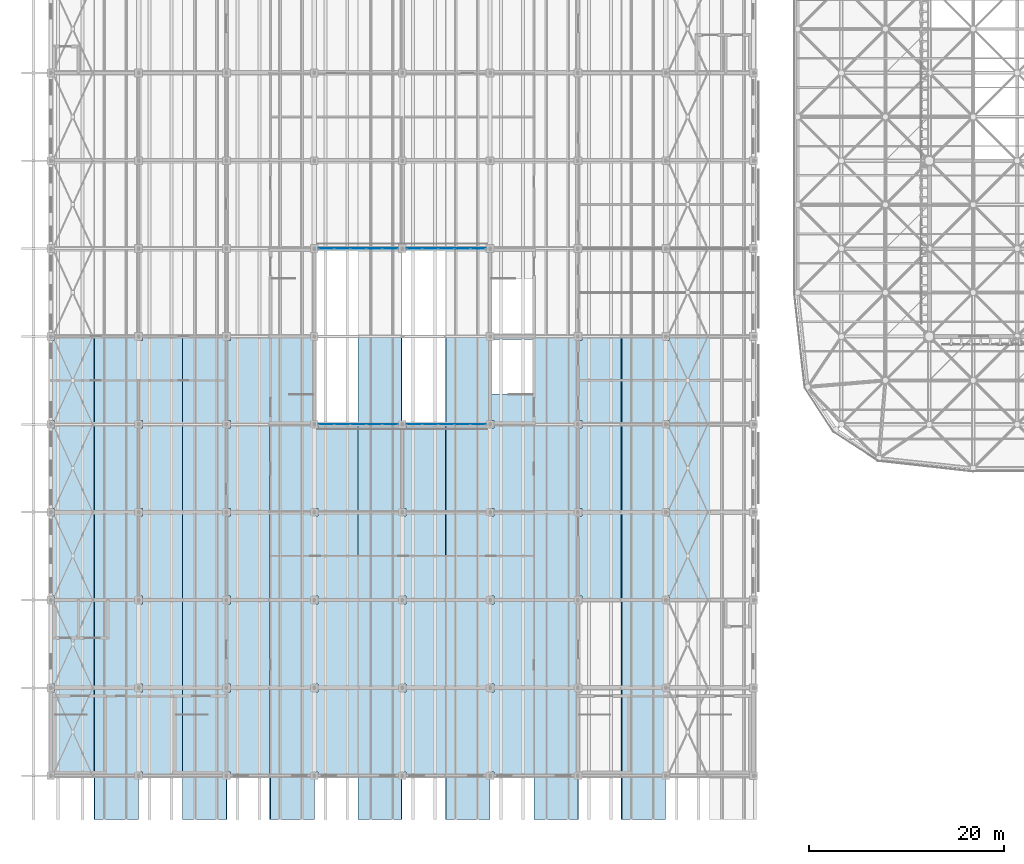
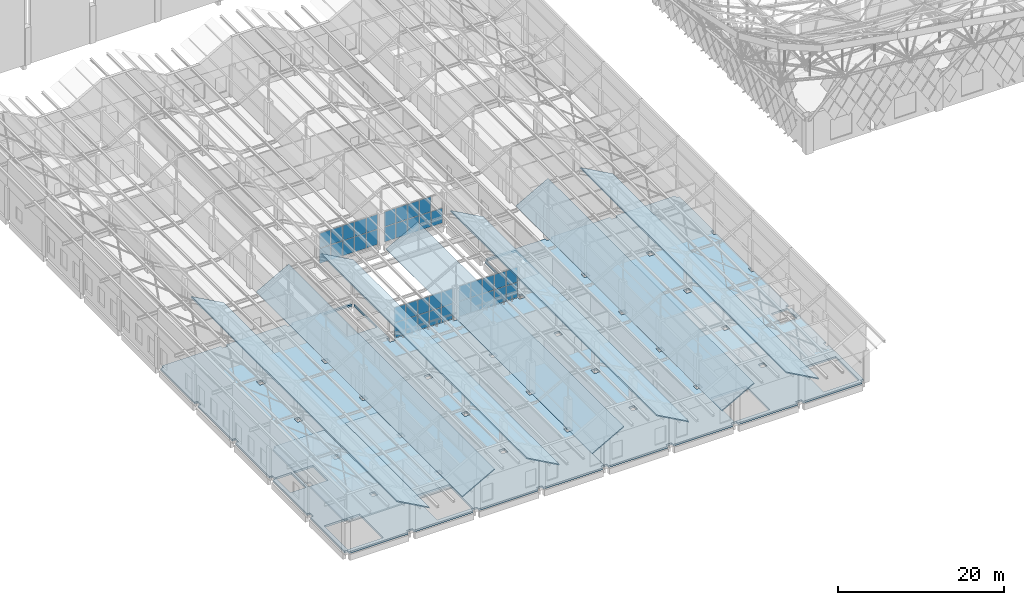
# One storey, part 238 of 437: 39 plates, 10 slabs, 4 elements without a shape of their own.
"""IFC4 building model written with IfcOpenShell, lengths in metres."""

from ifc_helpers import new_model, si_unit, direction, frame, origin, origin_2d, place, context, subcontext, project, spatial, polyline, rectangle, outline, extrude, material, layer, layer_set, type_object, element, aggregate, save


model = new_model("IFC4")

# Units and contexts
model_context = context("Model", 3, precision=1e-05, world=origin(), true_north=direction((0.0, 1.0)))
body_context = subcontext(model_context, "Body", "Model", "MODEL_VIEW")
ifc_project = project(units=[si_unit("LENGTHUNIT", "METRE"), si_unit("AREAUNIT", "SQUARE_METRE"), si_unit("VOLUMEUNIT", "CUBIC_METRE"), si_unit("PLANEANGLEUNIT", "RADIAN"), si_unit("MASSUNIT", "GRAM", prefix="KILO")], contexts=[model_context])

# Site, building, storey
site_placement = place(None, origin())
site = spatial("IfcSite", under=ifc_project, at=site_placement, CompositionType="ELEMENT")
building_placement = place(site_placement, origin())
building = spatial("IfcBuilding", under=site, at=building_placement, Name="Opaline Strait Convention Centre", CompositionType="ELEMENT")
storey_placement = place(building_placement, frame((0.0, 0.0, 11.5)))
storey = spatial("IfcBuildingStorey", under=building, at=storey_placement, Name="L02", CompositionType="ELEMENT", Elevation=11.5)

# Curtain wall, plates
ifc_material_1 = material(Name="Aluminium framed double glazing", Category="aluminium")
ifc_layer_1 = layer(ifc_material_1, 0.199951171875)
ifc_layer_set_1 = layer_set([ifc_layer_1], Name="Aluminium framed double glazing")
curtain_wall_type = type_object("IfcCurtainWallType", Name="Curtain wall 1500 module", PredefinedType="NOTDEFINED", material=ifc_layer_set_1)
curtain_wall_1_placement = place(storey_placement, origin())
curtain_wall_1 = element("IfcCurtainWall", 1, at=curtain_wall_1_placement, inside=storey, type_object=curtain_wall_type, Name="L02 court glazing Sc 1", PredefinedType="NOTDEFINED")
ifc_material_2 = material(Name="Double glazed unit low emissivity", Category="glass")
ifc_layer_2 = layer(ifc_material_2, 0.028076171875)
ifc_layer_set_2 = layer_set([ifc_layer_2], Name="Double glazed unit low emissivity")
plate_type = type_object("IfcPlateType", Name="Curtain wall glass panel 28", PredefinedType="CURTAIN_PANEL", material=ifc_layer_set_2)
plate_1_placement = place(storey_placement, frame((37.23486328125, 45.0, 0.06005859375), z_axis=(0.0, 0.0, 1.0), x_axis=(1.0, 0.0, 0.0)))
plate_1 = element("IfcPlate", 2, at=plate_1_placement, type_object=plate_type, Name="RCW1 panel 1.1", PredefinedType="CURTAIN_PANEL", context=body_context, shape_type="SweptSolid", body=[
    extrude(rectangle(XDim=1.550048828125, YDim=0.028076171875, at=origin_2d()), origin(), (0.0, 0.0, 1.0), 2.18505859375),
])
plate_2_placement = place(storey_placement, frame((37.23486328125, 45.0, 2.304931640625), z_axis=(0.0, 0.0, 1.0), x_axis=(1.0, 0.0, 0.0)))
plate_2 = element("IfcPlate", 3, at=plate_2_placement, type_object=plate_type, Name="RCW1 panel 1.2", PredefinedType="CURTAIN_PANEL", context=body_context, shape_type="SweptSolid", body=[
    extrude(rectangle(XDim=1.550048828125, YDim=0.028076171875, at=origin_2d()), origin(), (0.0, 0.0, 1.0), 2.18505859375),
])
plate_3_placement = place(storey_placement, frame((38.85986328125, 45.0, 0.06005859375), z_axis=(0.0, 0.0, 1.0), x_axis=(1.0, 0.0, 0.0)))
plate_3 = element("IfcPlate", 4, at=plate_3_placement, type_object=plate_type, Name="RCW1 panel 2.1", PredefinedType="CURTAIN_PANEL", context=body_context, shape_type="SweptSolid", body=[
    extrude(rectangle(XDim=1.580078125, YDim=0.028076171875, at=origin_2d()), origin(), (0.0, 0.0, 1.0), 2.18505859375),
])
plate_4_placement = place(storey_placement, frame((38.85986328125, 45.0, 2.304931640625), z_axis=(0.0, 0.0, 1.0), x_axis=(1.0, 0.0, 0.0)))
plate_4 = element("IfcPlate", 5, at=plate_4_placement, type_object=plate_type, Name="RCW1 panel 2.2", PredefinedType="CURTAIN_PANEL", context=body_context, shape_type="SweptSolid", body=[
    extrude(rectangle(XDim=1.580078125, YDim=0.028076171875, at=origin_2d()), origin(), (0.0, 0.0, 1.0), 2.18505859375),
])
plate_5_placement = place(storey_placement, frame((40.5, 45.0, 0.06005859375), z_axis=(0.0, 0.0, 1.0), x_axis=(1.0, 0.0, 0.0)))
plate_5 = element("IfcPlate", 6, at=plate_5_placement, type_object=plate_type, Name="RCW1 panel 3.1", PredefinedType="CURTAIN_PANEL", context=body_context, shape_type="SweptSolid", body=[
    extrude(rectangle(XDim=1.580078125, YDim=0.028076171875, at=origin_2d()), origin(), (0.0, 0.0, 1.0), 2.18505859375),
])
plate_6_placement = place(storey_placement, frame((40.5, 45.0, 2.304931640625), z_axis=(0.0, 0.0, 1.0), x_axis=(1.0, 0.0, 0.0)))
plate_6 = element("IfcPlate", 7, at=plate_6_placement, type_object=plate_type, Name="RCW1 panel 3.2", PredefinedType="CURTAIN_PANEL", context=body_context, shape_type="SweptSolid", body=[
    extrude(rectangle(XDim=1.580078125, YDim=0.028076171875, at=origin_2d()), origin(), (0.0, 0.0, 1.0), 2.18505859375),
])
plate_7_placement = place(storey_placement, frame((42.14013671875, 45.0, 0.06005859375), z_axis=(0.0, 0.0, 1.0), x_axis=(1.0, 0.0, 0.0)))
plate_7 = element("IfcPlate", 8, at=plate_7_placement, type_object=plate_type, Name="RCW1 panel 4.1", PredefinedType="CURTAIN_PANEL", context=body_context, shape_type="SweptSolid", body=[
    extrude(rectangle(XDim=1.580078125, YDim=0.028076171875, at=origin_2d()), origin(), (0.0, 0.0, 1.0), 2.18505859375),
])
plate_8_placement = place(storey_placement, frame((42.14013671875, 45.0, 2.304931640625), z_axis=(0.0, 0.0, 1.0), x_axis=(1.0, 0.0, 0.0)))
plate_8 = element("IfcPlate", 9, at=plate_8_placement, type_object=plate_type, Name="RCW1 panel 4.2", PredefinedType="CURTAIN_PANEL", context=body_context, shape_type="SweptSolid", body=[
    extrude(rectangle(XDim=1.580078125, YDim=0.028076171875, at=origin_2d()), origin(), (0.0, 0.0, 1.0), 2.18505859375),
])
plate_9_placement = place(storey_placement, frame((43.76513671875, 45.0, 0.06005859375), z_axis=(0.0, 0.0, 1.0), x_axis=(1.0, 0.0, 0.0)))
plate_9 = element("IfcPlate", 10, at=plate_9_placement, type_object=plate_type, Name="RCW1 panel 5.1", PredefinedType="CURTAIN_PANEL", context=body_context, shape_type="SweptSolid", body=[
    extrude(rectangle(XDim=1.550048828125, YDim=0.028076171875, at=origin_2d()), origin(), (0.0, 0.0, 1.0), 2.18505859375),
])
plate_10_placement = place(storey_placement, frame((43.76513671875, 45.0, 2.304931640625), z_axis=(0.0, 0.0, 1.0), x_axis=(1.0, 0.0, 0.0)))
plate_10 = element("IfcPlate", 11, at=plate_10_placement, type_object=plate_type, Name="RCW1 panel 5.2", PredefinedType="CURTAIN_PANEL", context=body_context, shape_type="SweptSolid", body=[
    extrude(rectangle(XDim=1.550048828125, YDim=0.028076171875, at=origin_2d()), origin(), (0.0, 0.0, 1.0), 2.18505859375),
])
aggregate(curtain_wall_1, [plate_1, plate_2, plate_3, plate_4, plate_5, plate_6, plate_7, plate_8, plate_9, plate_10])

curtain_wall_2_placement = place(storey_placement, origin())
curtain_wall_2 = element("IfcCurtainWall", 12, at=curtain_wall_2_placement, inside=storey, type_object=curtain_wall_type, Name="L02 court glazing Sc 2", PredefinedType="NOTDEFINED")
plate_11_placement = place(storey_placement, frame((46.23486328125, 45.0, 0.06005859375), z_axis=(0.0, 0.0, 1.0), x_axis=(1.0, 0.0, 0.0)))
plate_11 = element("IfcPlate", 13, at=plate_11_placement, type_object=plate_type, Name="RCW1 panel 1.1", PredefinedType="CURTAIN_PANEL", context=body_context, shape_type="SweptSolid", body=[
    extrude(rectangle(XDim=1.550048828125, YDim=0.028076171875, at=origin_2d()), origin(), (0.0, 0.0, 1.0), 2.18505859375),
])
plate_12_placement = place(storey_placement, frame((46.23486328125, 45.0, 2.304931640625), z_axis=(0.0, 0.0, 1.0), x_axis=(1.0, 0.0, 0.0)))
plate_12 = element("IfcPlate", 14, at=plate_12_placement, type_object=plate_type, Name="RCW1 panel 1.2", PredefinedType="CURTAIN_PANEL", context=body_context, shape_type="SweptSolid", body=[
    extrude(rectangle(XDim=1.550048828125, YDim=0.028076171875, at=origin_2d()), origin(), (0.0, 0.0, 1.0), 2.18505859375),
])
plate_13_placement = place(storey_placement, frame((47.85986328125, 45.0, 0.06005859375), z_axis=(0.0, 0.0, 1.0), x_axis=(1.0, 0.0, 0.0)))
plate_13 = element("IfcPlate", 15, at=plate_13_placement, type_object=plate_type, Name="RCW1 panel 2.1", PredefinedType="CURTAIN_PANEL", context=body_context, shape_type="SweptSolid", body=[
    extrude(rectangle(XDim=1.580078125, YDim=0.028076171875, at=origin_2d()), origin(), (0.0, 0.0, 1.0), 2.18505859375),
])
plate_14_placement = place(storey_placement, frame((47.85986328125, 45.0, 2.304931640625), z_axis=(0.0, 0.0, 1.0), x_axis=(1.0, 0.0, 0.0)))
plate_14 = element("IfcPlate", 16, at=plate_14_placement, type_object=plate_type, Name="RCW1 panel 2.2", PredefinedType="CURTAIN_PANEL", context=body_context, shape_type="SweptSolid", body=[
    extrude(rectangle(XDim=1.580078125, YDim=0.028076171875, at=origin_2d()), origin(), (0.0, 0.0, 1.0), 2.18505859375),
])
plate_15_placement = place(storey_placement, frame((49.5, 45.0, 0.06005859375), z_axis=(0.0, 0.0, 1.0), x_axis=(1.0, 0.0, 0.0)))
plate_15 = element("IfcPlate", 17, at=plate_15_placement, type_object=plate_type, Name="RCW1 panel 3.1", PredefinedType="CURTAIN_PANEL", context=body_context, shape_type="SweptSolid", body=[
    extrude(rectangle(XDim=1.580078125, YDim=0.028076171875, at=origin_2d()), origin(), (0.0, 0.0, 1.0), 2.18505859375),
])
plate_16_placement = place(storey_placement, frame((49.5, 45.0, 2.304931640625), z_axis=(0.0, 0.0, 1.0), x_axis=(1.0, 0.0, 0.0)))
plate_16 = element("IfcPlate", 18, at=plate_16_placement, type_object=plate_type, Name="RCW1 panel 3.2", PredefinedType="CURTAIN_PANEL", context=body_context, shape_type="SweptSolid", body=[
    extrude(rectangle(XDim=1.580078125, YDim=0.028076171875, at=origin_2d()), origin(), (0.0, 0.0, 1.0), 2.18505859375),
])
plate_17_placement = place(storey_placement, frame((51.14013671875, 45.0, 0.06005859375), z_axis=(0.0, 0.0, 1.0), x_axis=(1.0, 0.0, 0.0)))
plate_17 = element("IfcPlate", 19, at=plate_17_placement, type_object=plate_type, Name="RCW1 panel 4.1", PredefinedType="CURTAIN_PANEL", context=body_context, shape_type="SweptSolid", body=[
    extrude(rectangle(XDim=1.580078125, YDim=0.028076171875, at=origin_2d()), origin(), (0.0, 0.0, 1.0), 2.18505859375),
])
plate_18_placement = place(storey_placement, frame((51.14013671875, 45.0, 2.304931640625), z_axis=(0.0, 0.0, 1.0), x_axis=(1.0, 0.0, 0.0)))
plate_18 = element("IfcPlate", 20, at=plate_18_placement, type_object=plate_type, Name="RCW1 panel 4.2", PredefinedType="CURTAIN_PANEL", context=body_context, shape_type="SweptSolid", body=[
    extrude(rectangle(XDim=1.580078125, YDim=0.028076171875, at=origin_2d()), origin(), (0.0, 0.0, 1.0), 2.18505859375),
])
plate_19_placement = place(storey_placement, frame((52.76513671875, 45.0, 0.06005859375), z_axis=(0.0, 0.0, 1.0), x_axis=(1.0, 0.0, 0.0)))
plate_19 = element("IfcPlate", 21, at=plate_19_placement, type_object=plate_type, Name="RCW1 panel 5.1", PredefinedType="CURTAIN_PANEL", context=body_context, shape_type="SweptSolid", body=[
    extrude(rectangle(XDim=1.550048828125, YDim=0.028076171875, at=origin_2d()), origin(), (0.0, 0.0, 1.0), 2.18505859375),
])
plate_20_placement = place(storey_placement, frame((52.76513671875, 45.0, 2.304931640625), z_axis=(0.0, 0.0, 1.0), x_axis=(1.0, 0.0, 0.0)))
plate_20 = element("IfcPlate", 22, at=plate_20_placement, type_object=plate_type, Name="RCW1 panel 5.2", PredefinedType="CURTAIN_PANEL", context=body_context, shape_type="SweptSolid", body=[
    extrude(rectangle(XDim=1.550048828125, YDim=0.028076171875, at=origin_2d()), origin(), (0.0, 0.0, 1.0), 2.18505859375),
])
aggregate(curtain_wall_2, [plate_11, plate_12, plate_13, plate_14, plate_15, plate_16, plate_17, plate_18, plate_19, plate_20])

curtain_wall_3_placement = place(storey_placement, origin())
curtain_wall_3 = element("IfcCurtainWall", 23, at=curtain_wall_3_placement, inside=storey, type_object=curtain_wall_type, Name="L02 court glazing Nc 1", PredefinedType="NOTDEFINED")
plate_21_placement = place(storey_placement, frame((37.23486328125, 63.0, 0.06005859375), z_axis=(0.0, 0.0, 1.0), x_axis=(1.0, 0.0, 0.0)))
plate_21 = element("IfcPlate", 24, at=plate_21_placement, type_object=plate_type, Name="RCW1 panel 1.1", PredefinedType="CURTAIN_PANEL", context=body_context, shape_type="SweptSolid", body=[
    extrude(rectangle(XDim=1.550048828125, YDim=0.028076171875, at=origin_2d()), origin(), (0.0, 0.0, 1.0), 2.18505859375),
])
plate_22_placement = place(storey_placement, frame((37.23486328125, 63.0, 2.304931640625), z_axis=(0.0, 0.0, 1.0), x_axis=(1.0, 0.0, 0.0)))
plate_22 = element("IfcPlate", 25, at=plate_22_placement, type_object=plate_type, Name="RCW1 panel 1.2", PredefinedType="CURTAIN_PANEL", context=body_context, shape_type="SweptSolid", body=[
    extrude(rectangle(XDim=1.550048828125, YDim=0.028076171875, at=origin_2d()), origin(), (0.0, 0.0, 1.0), 2.18505859375),
])
plate_23_placement = place(storey_placement, frame((38.85986328125, 63.0, 0.06005859375), z_axis=(0.0, 0.0, 1.0), x_axis=(1.0, 0.0, 0.0)))
plate_23 = element("IfcPlate", 26, at=plate_23_placement, type_object=plate_type, Name="RCW1 panel 2.1", PredefinedType="CURTAIN_PANEL", context=body_context, shape_type="SweptSolid", body=[
    extrude(rectangle(XDim=1.580078125, YDim=0.028076171875, at=origin_2d()), origin(), (0.0, 0.0, 1.0), 2.18505859375),
])
plate_24_placement = place(storey_placement, frame((38.85986328125, 63.0, 2.304931640625), z_axis=(0.0, 0.0, 1.0), x_axis=(1.0, 0.0, 0.0)))
plate_24 = element("IfcPlate", 27, at=plate_24_placement, type_object=plate_type, Name="RCW1 panel 2.2", PredefinedType="CURTAIN_PANEL", context=body_context, shape_type="SweptSolid", body=[
    extrude(rectangle(XDim=1.580078125, YDim=0.028076171875, at=origin_2d()), origin(), (0.0, 0.0, 1.0), 2.18505859375),
])
plate_25_placement = place(storey_placement, frame((40.5, 63.0, 0.06005859375), z_axis=(0.0, 0.0, 1.0), x_axis=(1.0, 0.0, 0.0)))
plate_25 = element("IfcPlate", 28, at=plate_25_placement, type_object=plate_type, Name="RCW1 panel 3.1", PredefinedType="CURTAIN_PANEL", context=body_context, shape_type="SweptSolid", body=[
    extrude(rectangle(XDim=1.580078125, YDim=0.028076171875, at=origin_2d()), origin(), (0.0, 0.0, 1.0), 2.18505859375),
])
plate_26_placement = place(storey_placement, frame((40.5, 63.0, 2.304931640625), z_axis=(0.0, 0.0, 1.0), x_axis=(1.0, 0.0, 0.0)))
plate_26 = element("IfcPlate", 29, at=plate_26_placement, type_object=plate_type, Name="RCW1 panel 3.2", PredefinedType="CURTAIN_PANEL", context=body_context, shape_type="SweptSolid", body=[
    extrude(rectangle(XDim=1.580078125, YDim=0.028076171875, at=origin_2d()), origin(), (0.0, 0.0, 1.0), 2.18505859375),
])
plate_27_placement = place(storey_placement, frame((42.14013671875, 63.0, 0.06005859375), z_axis=(0.0, 0.0, 1.0), x_axis=(1.0, 0.0, 0.0)))
plate_27 = element("IfcPlate", 30, at=plate_27_placement, type_object=plate_type, Name="RCW1 panel 4.1", PredefinedType="CURTAIN_PANEL", context=body_context, shape_type="SweptSolid", body=[
    extrude(rectangle(XDim=1.580078125, YDim=0.028076171875, at=origin_2d()), origin(), (0.0, 0.0, 1.0), 2.18505859375),
])
plate_28_placement = place(storey_placement, frame((42.14013671875, 63.0, 2.304931640625), z_axis=(0.0, 0.0, 1.0), x_axis=(1.0, 0.0, 0.0)))
plate_28 = element("IfcPlate", 31, at=plate_28_placement, type_object=plate_type, Name="RCW1 panel 4.2", PredefinedType="CURTAIN_PANEL", context=body_context, shape_type="SweptSolid", body=[
    extrude(rectangle(XDim=1.580078125, YDim=0.028076171875, at=origin_2d()), origin(), (0.0, 0.0, 1.0), 2.18505859375),
])
plate_29_placement = place(storey_placement, frame((43.76513671875, 63.0, 0.06005859375), z_axis=(0.0, 0.0, 1.0), x_axis=(1.0, 0.0, 0.0)))
plate_29 = element("IfcPlate", 32, at=plate_29_placement, type_object=plate_type, Name="RCW1 panel 5.1", PredefinedType="CURTAIN_PANEL", context=body_context, shape_type="SweptSolid", body=[
    extrude(rectangle(XDim=1.550048828125, YDim=0.028076171875, at=origin_2d()), origin(), (0.0, 0.0, 1.0), 2.18505859375),
])
plate_30_placement = place(storey_placement, frame((43.76513671875, 63.0, 2.304931640625), z_axis=(0.0, 0.0, 1.0), x_axis=(1.0, 0.0, 0.0)))
plate_30 = element("IfcPlate", 33, at=plate_30_placement, type_object=plate_type, Name="RCW1 panel 5.2", PredefinedType="CURTAIN_PANEL", context=body_context, shape_type="SweptSolid", body=[
    extrude(rectangle(XDim=1.550048828125, YDim=0.028076171875, at=origin_2d()), origin(), (0.0, 0.0, 1.0), 2.18505859375),
])
aggregate(curtain_wall_3, [plate_21, plate_22, plate_23, plate_24, plate_25, plate_26, plate_27, plate_28, plate_29, plate_30])

curtain_wall_4_placement = place(storey_placement, origin())
curtain_wall_4 = element("IfcCurtainWall", 34, at=curtain_wall_4_placement, inside=storey, type_object=curtain_wall_type, Name="L02 court glazing Nc 2", PredefinedType="NOTDEFINED")
plate_31_placement = place(storey_placement, frame((46.23486328125, 63.0, 0.06005859375), z_axis=(0.0, 0.0, 1.0), x_axis=(1.0, 0.0, 0.0)))
plate_31 = element("IfcPlate", 35, at=plate_31_placement, type_object=plate_type, Name="RCW1 panel 1.1", PredefinedType="CURTAIN_PANEL", context=body_context, shape_type="SweptSolid", body=[
    extrude(rectangle(XDim=1.550048828125, YDim=0.028076171875, at=origin_2d()), origin(), (0.0, 0.0, 1.0), 2.18505859375),
])
plate_32_placement = place(storey_placement, frame((46.23486328125, 63.0, 2.304931640625), z_axis=(0.0, 0.0, 1.0), x_axis=(1.0, 0.0, 0.0)))
plate_32 = element("IfcPlate", 36, at=plate_32_placement, type_object=plate_type, Name="RCW1 panel 1.2", PredefinedType="CURTAIN_PANEL", context=body_context, shape_type="SweptSolid", body=[
    extrude(rectangle(XDim=1.550048828125, YDim=0.028076171875, at=origin_2d()), origin(), (0.0, 0.0, 1.0), 2.18505859375),
])
plate_33_placement = place(storey_placement, frame((47.85986328125, 63.0, 0.06005859375), z_axis=(0.0, 0.0, 1.0), x_axis=(1.0, 0.0, 0.0)))
plate_33 = element("IfcPlate", 37, at=plate_33_placement, type_object=plate_type, Name="RCW1 panel 2.1", PredefinedType="CURTAIN_PANEL", context=body_context, shape_type="SweptSolid", body=[
    extrude(rectangle(XDim=1.580078125, YDim=0.028076171875, at=origin_2d()), origin(), (0.0, 0.0, 1.0), 2.18505859375),
])
plate_34_placement = place(storey_placement, frame((47.85986328125, 63.0, 2.304931640625), z_axis=(0.0, 0.0, 1.0), x_axis=(1.0, 0.0, 0.0)))
plate_34 = element("IfcPlate", 38, at=plate_34_placement, type_object=plate_type, Name="RCW1 panel 2.2", PredefinedType="CURTAIN_PANEL", context=body_context, shape_type="SweptSolid", body=[
    extrude(rectangle(XDim=1.580078125, YDim=0.028076171875, at=origin_2d()), origin(), (0.0, 0.0, 1.0), 2.18505859375),
])
plate_35_placement = place(storey_placement, frame((49.5, 63.0, 0.06005859375), z_axis=(0.0, 0.0, 1.0), x_axis=(1.0, 0.0, 0.0)))
plate_35 = element("IfcPlate", 39, at=plate_35_placement, type_object=plate_type, Name="RCW1 panel 3.1", PredefinedType="CURTAIN_PANEL", context=body_context, shape_type="SweptSolid", body=[
    extrude(rectangle(XDim=1.580078125, YDim=0.028076171875, at=origin_2d()), origin(), (0.0, 0.0, 1.0), 2.18505859375),
])
plate_36_placement = place(storey_placement, frame((49.5, 63.0, 2.304931640625), z_axis=(0.0, 0.0, 1.0), x_axis=(1.0, 0.0, 0.0)))
plate_36 = element("IfcPlate", 40, at=plate_36_placement, type_object=plate_type, Name="RCW1 panel 3.2", PredefinedType="CURTAIN_PANEL", context=body_context, shape_type="SweptSolid", body=[
    extrude(rectangle(XDim=1.580078125, YDim=0.028076171875, at=origin_2d()), origin(), (0.0, 0.0, 1.0), 2.18505859375),
])
plate_37_placement = place(storey_placement, frame((51.14013671875, 63.0, 0.06005859375), z_axis=(0.0, 0.0, 1.0), x_axis=(1.0, 0.0, 0.0)))
plate_37 = element("IfcPlate", 41, at=plate_37_placement, type_object=plate_type, Name="RCW1 panel 4.1", PredefinedType="CURTAIN_PANEL", context=body_context, shape_type="SweptSolid", body=[
    extrude(rectangle(XDim=1.580078125, YDim=0.028076171875, at=origin_2d()), origin(), (0.0, 0.0, 1.0), 2.18505859375),
])
plate_38_placement = place(storey_placement, frame((51.14013671875, 63.0, 2.304931640625), z_axis=(0.0, 0.0, 1.0), x_axis=(1.0, 0.0, 0.0)))
plate_38 = element("IfcPlate", 42, at=plate_38_placement, type_object=plate_type, Name="RCW1 panel 4.2", PredefinedType="CURTAIN_PANEL", context=body_context, shape_type="SweptSolid", body=[
    extrude(rectangle(XDim=1.580078125, YDim=0.028076171875, at=origin_2d()), origin(), (0.0, 0.0, 1.0), 2.18505859375),
])
plate_39_placement = place(storey_placement, frame((52.76513671875, 63.0, 0.06005859375), z_axis=(0.0, 0.0, 1.0), x_axis=(1.0, 0.0, 0.0)))
plate_39 = element("IfcPlate", 43, at=plate_39_placement, type_object=plate_type, Name="RCW1 panel 5.1", PredefinedType="CURTAIN_PANEL", context=body_context, shape_type="SweptSolid", body=[
    extrude(rectangle(XDim=1.550048828125, YDim=0.028076171875, at=origin_2d()), origin(), (0.0, 0.0, 1.0), 2.18505859375),
])
aggregate(curtain_wall_4, [plate_31, plate_32, plate_33, plate_34, plate_35, plate_36, plate_37, plate_38, plate_39])

# Slabs
ifc_material_3 = material(Name="Concrete C35", Category="concrete")
ifc_layer_3 = layer(ifc_material_3, 0.25)
ifc_layer_set_3 = layer_set([ifc_layer_3], Name="Concrete C35")
slab_type_1 = type_object("IfcSlabType", Name="RC core roof slab 250 C35", PredefinedType="ROOF", material=ifc_layer_set_3)
slab_1_placement = place(storey_placement, frame((0.0, 0.0, 4.300048828125)))
element("IfcSlab", 44, at=slab_1_placement, inside=storey, type_object=slab_type_1, Name="RS3 core roof slab SW", PredefinedType="ROOF", context=body_context, shape_type="SweptSolid", body=[
    extrude(outline(polyline([(27.0, 9.39990234375), (26.60009765625, 9.39990234375), (26.60009765625, 9.0), (18.39990234375, 9.0), (18.39990234375, 9.39990234375), (17.60009765625, 9.39990234375), (17.60009765625, 9.0), (9.39990234375, 9.0), (9.39990234375, 9.39990234375), (9.0, 9.39990234375), (9.0, 17.60009765625), (9.39990234375, 17.60009765625), (9.39990234375, 18.39990234375), (9.0, 18.39990234375), (9.0, 26.60009765625), (9.39990234375, 26.60009765625), (9.39990234375, 27.0), (17.60009765625, 27.0), (17.60009765625, 26.60009765625), (18.39990234375, 26.60009765625), (18.39990234375, 27.0), (26.60009765625, 27.0), (26.60009765625, 26.60009765625), (27.0, 26.60009765625), (27.0, 18.39990234375), (26.60009765625, 18.39990234375), (26.60009765625, 17.60009765625), (27.0, 17.60009765625), (27.0, 9.39990234375)]), holes=[polyline([(17.60009765625, 17.60009765625), (18.39990234375, 17.60009765625), (18.39990234375, 18.39990234375), (17.60009765625, 18.39990234375), (17.60009765625, 17.60009765625)])]), origin(), (0.0, 0.0, 1.0), 0.25),
])
ifc_layer_4 = layer(ifc_material_3, 0.280029296875)
ifc_layer_set_4 = layer_set([ifc_layer_4], Name="Concrete C35")
slab_type_2 = type_object("IfcSlabType", Name="RC floor slab 280 C35", PredefinedType="FLOOR", material=ifc_layer_set_4)
slab_2_placement = place(storey_placement, frame((0.0, 0.0, -0.280029296875)))
element("IfcSlab", 45, at=slab_2_placement, inside=storey, type_object=slab_type_2, Name="XS2 slab L02 pour SW1", PredefinedType="FLOOR", context=body_context, shape_type="SweptSolid", body=[
    extrude(outline(polyline([(9.39990234375, 17.60009765625), (9.39990234375, 18.39990234375), (9.0, 18.39990234375), (9.0, 26.60009765625), (9.39990234375, 26.60009765625), (9.39990234375, 27.39990234375), (9.0, 27.39990234375), (9.0, 35.60009765625), (9.39990234375, 35.60009765625), (9.39990234375, 36.39990234375), (9.0, 36.39990234375), (9.0, 44.60009765625), (9.39990234375, 44.60009765625), (9.39990234375, 45.39990234375), (9.0, 45.39990234375), (9.0, 53.60009765625), (9.39990234375, 53.60009765625), (9.39990234375, 54.0), (17.60009765625, 54.0), (17.60009765625, 53.60009765625), (18.39990234375, 53.60009765625), (18.39990234375, 54.0), (26.60009765625, 54.0), (26.60009765625, 53.60009765625), (27.39990234375, 53.60009765625), (27.39990234375, 54.0), (35.60009765625, 54.0), (35.60009765625, 53.699951171875), (31.64990234375, 53.699951171875), (31.64990234375, 48.100830078125), (35.85009765625, 48.100830078125), (35.85009765625, 53.60009765625), (36.0, 53.60009765625), (36.0, 45.39990234375), (35.60009765625, 45.39990234375), (35.60009765625, 44.60009765625), (36.39990234375, 44.60009765625), (36.39990234375, 45.0), (44.60009765625, 45.0), (44.60009765625, 44.60009765625), (45.0, 44.60009765625), (45.0, 36.39990234375), (44.60009765625, 36.39990234375), (44.60009765625, 35.60009765625), (45.0, 35.60009765625), (45.0, 27.39990234375), (44.60009765625, 27.39990234375), (44.60009765625, 26.60009765625), (45.0, 26.60009765625), (45.0, 18.39990234375), (44.60009765625, 18.39990234375), (44.60009765625, 17.60009765625), (45.0, 17.60009765625), (45.0, 9.39990234375), (44.60009765625, 9.39990234375), (44.60009765625, 9.0), (36.39990234375, 9.0), (36.39990234375, 9.39990234375), (35.60009765625, 9.39990234375), (35.60009765625, 9.0), (27.39990234375, 9.0), (27.39990234375, 9.39990234375), (26.60009765625, 9.39990234375), (26.60009765625, 9.0), (18.39990234375, 9.0), (18.39990234375, 9.39990234375), (17.60009765625, 9.39990234375), (17.60009765625, 9.0), (9.39990234375, 9.0), (9.39990234375, 9.39990234375), (9.0, 9.39990234375), (9.0, 17.60009765625), (9.39990234375, 17.60009765625)]), holes=[polyline([(21.89990234375, 9.5), (26.85009765625, 9.5), (26.85009765625, 15.19921875), (21.89990234375, 15.19921875), (21.89990234375, 9.5)]), polyline([(9.5, 9.5), (14.449951171875, 9.5), (14.449951171875, 15.19921875), (9.5, 15.19921875), (9.5, 9.5)]), polyline([(17.60009765625, 17.60009765625), (18.39990234375, 17.60009765625), (18.39990234375, 18.39990234375), (17.60009765625, 18.39990234375), (17.60009765625, 17.60009765625)]), polyline([(12.0, 23.25), (14.699951171875, 23.25), (14.699951171875, 26.85009765625), (12.0, 26.85009765625), (12.0, 23.25)]), polyline([(11.699951171875, 23.25), (11.699951171875, 26.85009765625), (9.5, 26.85009765625), (9.5, 23.25), (11.699951171875, 23.25)]), polyline([(17.60009765625, 26.60009765625), (18.39990234375, 26.60009765625), (18.39990234375, 27.39990234375), (17.60009765625, 27.39990234375), (17.60009765625, 26.60009765625)]), polyline([(17.60009765625, 35.60009765625), (18.39990234375, 35.60009765625), (18.39990234375, 36.39990234375), (17.60009765625, 36.39990234375), (17.60009765625, 35.60009765625)]), polyline([(17.60009765625, 44.60009765625), (18.39990234375, 44.60009765625), (18.39990234375, 45.39990234375), (17.60009765625, 45.39990234375), (17.60009765625, 44.60009765625)]), polyline([(26.60009765625, 17.60009765625), (27.39990234375, 17.60009765625), (27.39990234375, 18.39990234375), (26.60009765625, 18.39990234375), (26.60009765625, 17.60009765625)]), polyline([(35.60009765625, 17.60009765625), (36.39990234375, 17.60009765625), (36.39990234375, 18.39990234375), (35.60009765625, 18.39990234375), (35.60009765625, 17.60009765625)]), polyline([(27.39990234375, 26.60009765625), (27.39990234375, 27.39990234375), (26.60009765625, 27.39990234375), (26.60009765625, 26.60009765625), (27.39990234375, 26.60009765625)]), polyline([(35.60009765625, 26.60009765625), (36.39990234375, 26.60009765625), (36.39990234375, 27.39990234375), (35.60009765625, 27.39990234375), (35.60009765625, 26.60009765625)]), polyline([(35.60009765625, 35.60009765625), (36.39990234375, 35.60009765625), (36.39990234375, 36.39990234375), (35.60009765625, 36.39990234375), (35.60009765625, 35.60009765625)]), polyline([(26.60009765625, 35.60009765625), (27.39990234375, 35.60009765625), (27.39990234375, 36.39990234375), (26.60009765625, 36.39990234375), (26.60009765625, 35.60009765625)]), polyline([(26.60009765625, 44.60009765625), (27.39990234375, 44.60009765625), (27.39990234375, 45.39990234375), (26.60009765625, 45.39990234375), (26.60009765625, 44.60009765625)])]), origin(), (0.0, 0.0, 1.0), 0.280029296875),
])
slab_3_placement = place(storey_placement, frame((0.0, 0.0, -0.280029296875)))
element("IfcSlab", 46, at=slab_3_placement, inside=storey, type_object=slab_type_2, Name="XS2 slab L02 pour SE1", PredefinedType="FLOOR", context=body_context, shape_type="SweptSolid", body=[
    extrude(outline(polyline([(80.60009765625, 53.60009765625), (81.0, 53.60009765625), (81.0, 45.39990234375), (80.60009765625, 45.39990234375), (80.60009765625, 44.60009765625), (81.0, 44.60009765625), (81.0, 36.39990234375), (80.60009765625, 36.39990234375), (80.60009765625, 35.60009765625), (81.0, 35.60009765625), (81.0, 27.39990234375), (80.60009765625, 27.39990234375), (80.60009765625, 26.60009765625), (81.0, 26.60009765625), (81.0, 18.39990234375), (80.60009765625, 18.39990234375), (80.60009765625, 17.60009765625), (81.0, 17.60009765625), (81.0, 9.39990234375), (80.60009765625, 9.39990234375), (80.60009765625, 9.0), (72.39990234375, 9.0), (72.39990234375, 9.39990234375), (71.60009765625, 9.39990234375), (71.60009765625, 9.0), (63.39990234375, 9.0), (63.39990234375, 9.39990234375), (62.60009765625, 9.39990234375), (62.60009765625, 9.0), (54.39990234375, 9.0), (54.39990234375, 9.39990234375), (53.60009765625, 9.39990234375), (53.60009765625, 9.0), (45.39990234375, 9.0), (45.39990234375, 9.39990234375), (45.0, 9.39990234375), (45.0, 17.60009765625), (45.39990234375, 17.60009765625), (45.39990234375, 18.39990234375), (45.0, 18.39990234375), (45.0, 26.60009765625), (45.39990234375, 26.60009765625), (45.39990234375, 27.39990234375), (45.0, 27.39990234375), (45.0, 35.60009765625), (45.39990234375, 35.60009765625), (45.39990234375, 36.39990234375), (45.0, 36.39990234375), (45.0, 44.60009765625), (45.39990234375, 44.60009765625), (45.39990234375, 45.0), (53.60009765625, 45.0), (53.60009765625, 44.60009765625), (54.39990234375, 44.60009765625), (54.39990234375, 45.39990234375), (54.0, 45.39990234375), (54.0, 53.60009765625), (54.14990234375, 53.60009765625), (54.14990234375, 48.100830078125), (58.35009765625, 48.100830078125), (58.35009765625, 53.699951171875), (54.39990234375, 53.699951171875), (54.39990234375, 54.0), (62.60009765625, 54.0), (62.60009765625, 53.60009765625), (63.39990234375, 53.60009765625), (63.39990234375, 54.0), (71.60009765625, 54.0), (71.60009765625, 53.60009765625), (72.39990234375, 53.60009765625), (72.39990234375, 54.0), (80.60009765625, 54.0), (80.60009765625, 53.60009765625)]), holes=[polyline([(62.60009765625, 17.60009765625), (63.39990234375, 17.60009765625), (63.39990234375, 18.39990234375), (62.60009765625, 18.39990234375), (62.60009765625, 17.60009765625)]), polyline([(53.60009765625, 17.60009765625), (54.39990234375, 17.60009765625), (54.39990234375, 18.39990234375), (53.60009765625, 18.39990234375), (53.60009765625, 17.60009765625)]), polyline([(62.60009765625, 26.60009765625), (63.39990234375, 26.60009765625), (63.39990234375, 27.39990234375), (62.60009765625, 27.39990234375), (62.60009765625, 26.60009765625)]), polyline([(53.60009765625, 26.60009765625), (54.39990234375, 26.60009765625), (54.39990234375, 27.39990234375), (53.60009765625, 27.39990234375), (53.60009765625, 26.60009765625)]), polyline([(62.60009765625, 35.60009765625), (63.39990234375, 35.60009765625), (63.39990234375, 36.39990234375), (62.60009765625, 36.39990234375), (62.60009765625, 35.60009765625)]), polyline([(54.39990234375, 35.60009765625), (54.39990234375, 36.39990234375), (53.60009765625, 36.39990234375), (53.60009765625, 35.60009765625), (54.39990234375, 35.60009765625)]), polyline([(62.60009765625, 44.60009765625), (63.39990234375, 44.60009765625), (63.39990234375, 45.39990234375), (62.60009765625, 45.39990234375), (62.60009765625, 44.60009765625)]), polyline([(75.550048828125, 9.5), (80.5, 9.5), (80.5, 15.19921875), (75.550048828125, 15.19921875), (75.550048828125, 9.5)]), polyline([(63.14990234375, 9.5), (68.10009765625, 9.5), (68.10009765625, 15.19921875), (63.14990234375, 15.19921875), (63.14990234375, 9.5)]), polyline([(71.60009765625, 17.60009765625), (72.39990234375, 17.60009765625), (72.39990234375, 18.39990234375), (71.60009765625, 18.39990234375), (71.60009765625, 17.60009765625)]), polyline([(78.300048828125, 24.449951171875), (80.5, 24.449951171875), (80.5, 26.85009765625), (78.300048828125, 26.85009765625), (78.300048828125, 24.449951171875)]), polyline([(71.60009765625, 26.60009765625), (72.39990234375, 26.60009765625), (72.39990234375, 27.39990234375), (71.60009765625, 27.39990234375), (71.60009765625, 26.60009765625)]), polyline([(71.60009765625, 35.60009765625), (72.39990234375, 35.60009765625), (72.39990234375, 36.39990234375), (71.60009765625, 36.39990234375), (71.60009765625, 35.60009765625)]), polyline([(71.60009765625, 44.60009765625), (72.39990234375, 44.60009765625), (72.39990234375, 45.39990234375), (71.60009765625, 45.39990234375), (71.60009765625, 44.60009765625)])]), origin(), (0.0, 0.0, 1.0), 0.280029296875),
])
ifc_material_4 = material(Name="Concrete C30", Category="concrete")
ifc_layer_5 = layer(ifc_material_4, 0.14990234375)
ifc_layer_set_5 = layer_set([ifc_layer_5], Name="Concrete C30")
slab_type_3 = type_object("IfcSlabType", Name="Roof deck 150 C30", PredefinedType="ROOF", material=ifc_layer_set_5)
for number, where, z_axis, x_axis, name in (
    (47, (13.5, 4.5, 8.75), (0.485642931179, 0.0, 0.874157276122), (0.874157276122, 0.0, -0.485642931179), "RS4 roof deck facet 2 south pour"),
    (48, (22.5, 4.5, 6.25), (-0.485642931179, 0.0, 0.874157276122), (0.874157276122, 0.0, 0.485642931179), "RS4 roof deck facet 4 south pour"),
    (49, (31.5, 4.5, 8.75), (0.485642931179, 0.0, 0.874157276122), (0.874157276122, 0.0, -0.485642931179), "RS4 roof deck facet 6 south pour"),
):
    element("IfcSlab", number, at=place(storey_placement, frame(where, z_axis=z_axis, x_axis=x_axis)), inside=storey, type_object=slab_type_3, Name=name, PredefinedType="ROOF", context=body_context, shape_type="SweptSolid", body=[
        extrude(outline(polyline([(0.0, 0.0), (5.1478150704935, 0.0), (5.1478150704935, 49.5), (0.0, 49.5), (0.0, 0.0)])), origin(), (0.0, 0.0, -1.0), 0.14990234375),
    ])
slab_4_placement = place(storey_placement, frame((40.5, 4.5, 6.25), z_axis=(-0.485634739414, 0.0, 0.874161827051), x_axis=(0.874161827051, 0.0, 0.485634739414)))
element("IfcSlab", 50, at=slab_4_placement, inside=storey, type_object=slab_type_3, Name="RS4 roof deck facet 8 south pour", PredefinedType="ROOF", context=body_context, shape_type="SweptSolid", body=[
    extrude(outline(polyline([(0.0, 0.0), (5.060930515059539, 0.0), (5.060930515059539, 49.5), (0.0, 49.5), (0.0, 0.0)])), origin(), (0.0, 0.0, -1.0), 0.14990234375),
])
for number, where, z_axis, x_axis, name in (
    (51, (49.5, 4.5, 8.75), (0.485642931179, 0.0, 0.874157276122), (0.874157276122, 0.0, -0.485642931179), "RS4 roof deck facet 10 south pour"),
    (52, (58.5, 4.5, 6.25), (-0.485642931179, 0.0, 0.874157276122), (0.874157276122, 0.0, 0.485642931179), "RS4 roof deck facet 12 south pour"),
    (53, (67.5, 4.5, 8.75), (0.485642931179, 0.0, 0.874157276122), (0.874157276122, 0.0, -0.485642931179), "RS4 roof deck facet 14 south pour"),
):
    element("IfcSlab", number, at=place(storey_placement, frame(where, z_axis=z_axis, x_axis=x_axis)), inside=storey, type_object=slab_type_3, Name=name, PredefinedType="ROOF", context=body_context, shape_type="SweptSolid", body=[
        extrude(outline(polyline([(0.0, 0.0), (5.1478150704935, 0.0), (5.1478150704935, 49.5), (0.0, 49.5), (0.0, 0.0)])), origin(), (0.0, 0.0, -1.0), 0.14990234375),
    ])

save(model, "model.ifc")
